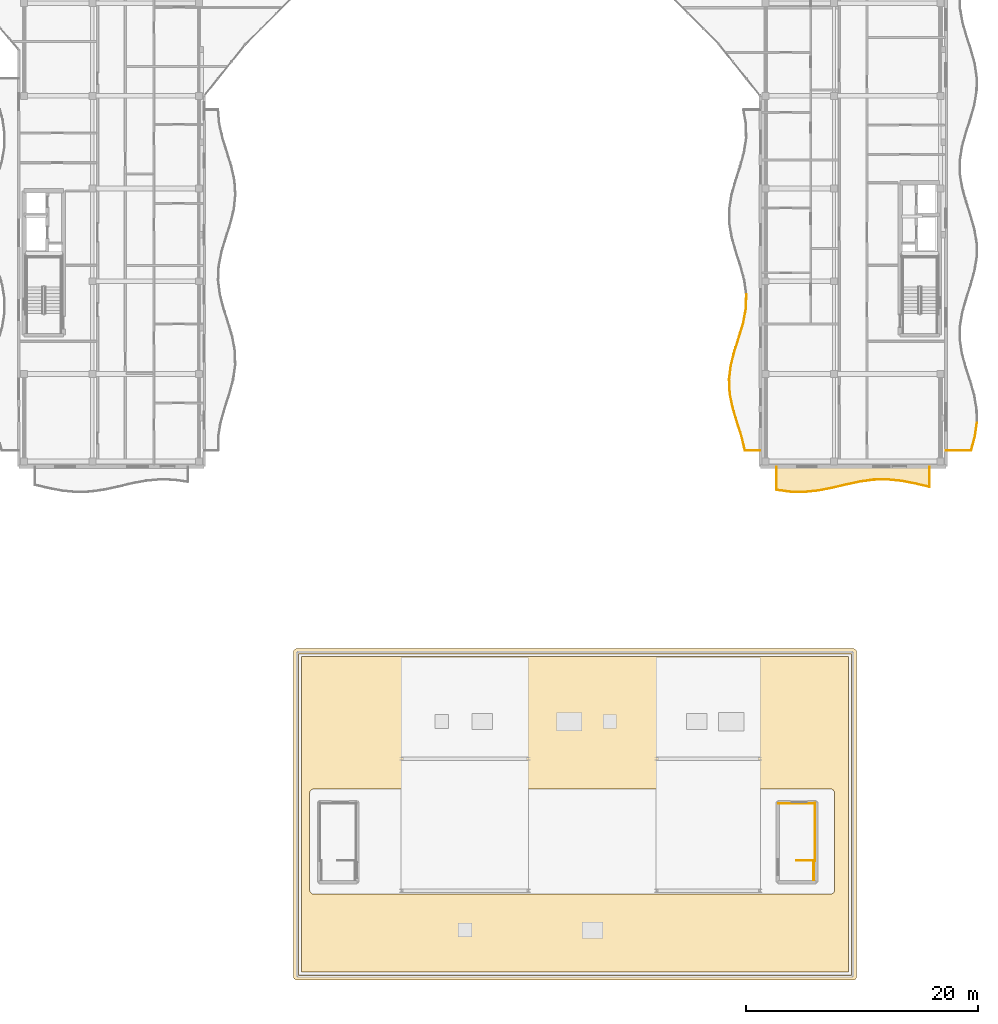
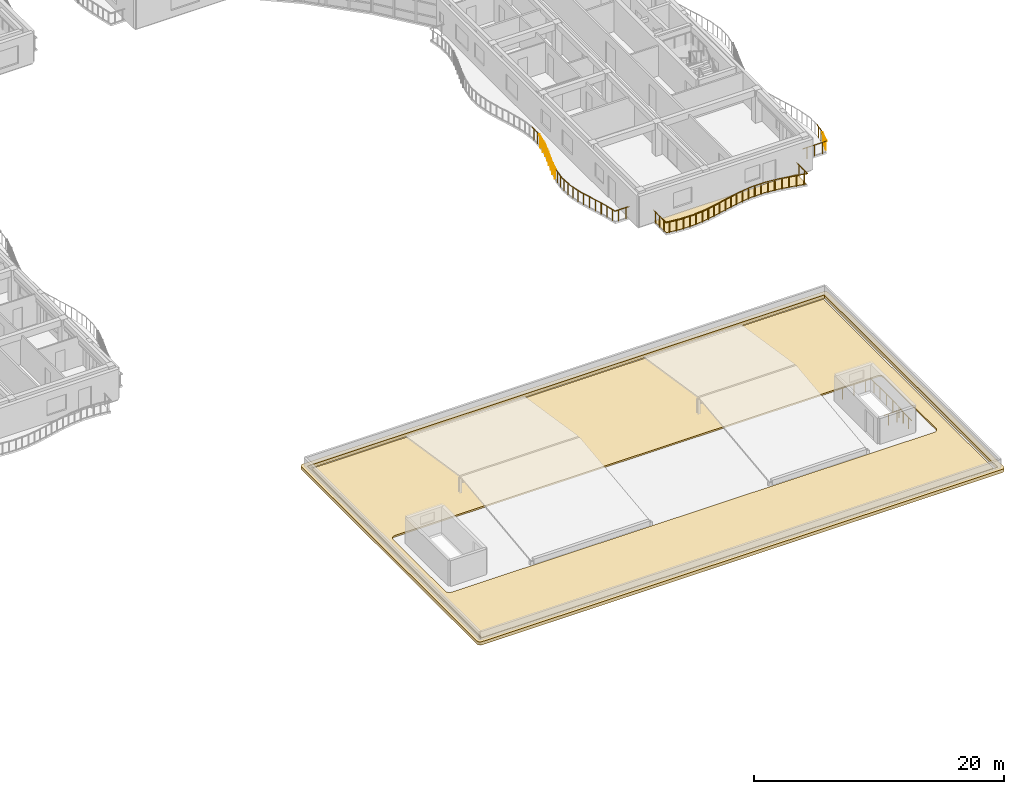
# One storey, part 73 of 79: 32 railings, 3 coverings.
"""IFC4 building model written with IfcOpenShell, lengths in metres."""

from ifc_helpers import new_model, si_unit, direction, frame, origin, origin_2d, place, context, subcontext, project, spatial, polyline, circle, outline, extrude, material, layer, layer_set, type_object, element, save


model = new_model("IFC4")

# Units and contexts
model_context = context("Model", 3, precision=1e-05, world=origin(), true_north=direction((0.0, 1.0)))
body_context = subcontext(model_context, "Body", "Model", "MODEL_VIEW")
ifc_project = project(units=[si_unit("LENGTHUNIT", "METRE"), si_unit("AREAUNIT", "SQUARE_METRE"), si_unit("VOLUMEUNIT", "CUBIC_METRE"), si_unit("PLANEANGLEUNIT", "RADIAN"), si_unit("MASSUNIT", "GRAM", prefix="KILO")], contexts=[model_context])

# Site, building, storey
site_placement = place(None, origin())
site = spatial("IfcSite", under=ifc_project, at=site_placement, CompositionType="ELEMENT")
building_placement = place(site_placement, origin())
building = spatial("IfcBuilding", under=site, at=building_placement, Name="Keldmere Railside Commons", CompositionType="ELEMENT")
storey_placement = place(building_placement, frame((0.0, 0.0, 10.56005859375)))
storey = spatial("IfcBuildingStorey", under=building, at=storey_placement, Name="L03", CompositionType="ELEMENT", Elevation=10.56005859375)

# Railings
ifc_material_1 = material(Name="Steel F-24 (S235)", Category="steel")
railing_type_1 = type_object("IfcRailingType", Name="Balcony & Terrace Steel Balustrade 1100", PredefinedType="BALUSTRADE", material=ifc_material_1)
railing_1_placement = place(storey_placement, frame((168.0, 57.39990234375, 0.0)))
element("IfcRailing", 1, at=railing_1_placement, inside=storey, type_object=railing_type_1, Name="GR-1 GRD-L03-3453", PredefinedType="BALUSTRADE", context=body_context, shape_type="SweptSolid", body=[
    extrude(circle(Radius=0.02392578125, at=origin_2d()), frame((0.0, 0.0, 1.076171875), z_axis=(-1.0, 0.0, 0.0), x_axis=(0.0, -1.0, 0.0)), (0.0, 0.0, 1.0), 1.32568359375),
    extrude(circle(Radius=0.02099609375, at=origin_2d()), frame((-0.33154296875, 0.0, 0.0)), (0.0, 0.0, 1.0), 1.048095703125),
    extrude(circle(Radius=0.02099609375, at=origin_2d()), frame((-0.994140625, 0.0, 0.0)), (0.0, 0.0, 1.0), 1.048095703125),
])
railing_2_placement = place(storey_placement, frame((166.67431640625, 57.39990234375, 0.0)))
element("IfcRailing", 2, at=railing_2_placement, inside=storey, type_object=railing_type_1, Name="GR-1 GRD-L03-3454", PredefinedType="BALUSTRADE", context=body_context, shape_type="SweptSolid", body=[
    extrude(circle(Radius=0.02392578125, at=origin_2d()), frame((0.0, 0.0, 1.076171875), z_axis=(-0.237156729367, 0.971471402418, 0.0), x_axis=(-0.971471402418, -0.237156729367, 0.0)), (0.0, 0.0, 1.0), 1.260986328125),
    extrude(circle(Radius=0.02099609375, at=origin_2d()), frame((-0.07470703125, 0.30615234375, 0.0)), (0.0, 0.0, 1.0), 1.048095703125),
    extrude(circle(Radius=0.02099609375, at=origin_2d()), frame((-0.224365234375, 0.9189453125, 0.0)), (0.0, 0.0, 1.0), 1.048095703125),
])
railing_3_placement = place(storey_placement, frame((166.375244140625, 58.625, 0.0)))
element("IfcRailing", 3, at=railing_3_placement, inside=storey, type_object=railing_type_1, Name="GR-1 GRD-L03-3455", PredefinedType="BALUSTRADE", context=body_context, shape_type="SweptSolid", body=[
    extrude(circle(Radius=0.02392578125, at=origin_2d()), frame((0.0, 0.0, 1.076171875), z_axis=(-0.303093914538, 0.952960691199, 0.0), x_axis=(-0.952960691199, -0.303093914538, 0.0)), (0.0, 0.0, 1.0), 1.28564453125),
    extrude(circle(Radius=0.02099609375, at=origin_2d()), frame((-0.097412109375, 0.30615234375, 0.0)), (0.0, 0.0, 1.0), 1.048095703125),
    extrude(circle(Radius=0.02099609375, at=origin_2d()), frame((-0.292236328125, 0.9189453125, 0.0)), (0.0, 0.0, 1.0), 1.048095703125),
])
railing_4_placement = place(storey_placement, frame((165.985595703125, 59.85009765625, 0.0)))
element("IfcRailing", 4, at=railing_4_placement, inside=storey, type_object=railing_type_1, Name="GR-1 GRD-L03-3456", PredefinedType="BALUSTRADE", context=body_context, shape_type="SweptSolid", body=[
    extrude(circle(Radius=0.02392578125, at=origin_2d()), frame((0.0, 0.0, 1.076171875), z_axis=(-0.290303835997, 0.956934523782, 0.0), x_axis=(-0.956934523782, -0.290303835997, 0.0)), (0.0, 0.0, 1.0), 1.280029296875),
    extrude(circle(Radius=0.02099609375, at=origin_2d()), frame((-0.0927734375, 0.30615234375, 0.0)), (0.0, 0.0, 1.0), 1.048095703125),
    extrude(circle(Radius=0.02099609375, at=origin_2d()), frame((-0.27880859375, 0.918701171875, 0.0)), (0.0, 0.0, 1.0), 1.048095703125),
])
railing_5_placement = place(storey_placement, frame((165.614013671875, 61.074951171875, 0.0)))
element("IfcRailing", 5, at=railing_5_placement, inside=storey, type_object=railing_type_1, Name="GR-1 GRD-L03-3457", PredefinedType="BALUSTRADE", context=body_context, shape_type="SweptSolid", body=[
    extrude(circle(Radius=0.02392578125, at=origin_2d()), frame((0.0, 0.0, 1.076171875), z_axis=(-0.199944709826, 0.979807181548, 0.0), x_axis=(-0.979807181548, -0.199944709826, 0.0)), (0.0, 0.0, 1.0), 1.250244140625),
    extrude(circle(Radius=0.02099609375, at=origin_2d()), frame((-0.0625, 0.30615234375, 0.0)), (0.0, 0.0, 1.0), 1.048095703125),
    extrude(circle(Radius=0.02099609375, at=origin_2d()), frame((-0.1875, 0.9189453125, 0.0)), (0.0, 0.0, 1.0), 1.048095703125),
])
railing_6_placement = place(storey_placement, frame((165.364013671875, 62.300048828125, 0.0)))
element("IfcRailing", 6, at=railing_6_placement, inside=storey, type_object=railing_type_1, Name="GR-1 GRD-L03-3458", PredefinedType="BALUSTRADE", context=body_context, shape_type="SweptSolid", body=[
    extrude(circle(Radius=0.02392578125, at=origin_2d()), frame((0.0, 0.0, 1.076171875), z_axis=(-0.04778271097, 0.998857753903, 0.0), x_axis=(-0.998857753903, -0.04778271097, 0.0)), (0.0, 0.0, 1.0), 1.226318359375),
    extrude(circle(Radius=0.02099609375, at=origin_2d()), frame((-0.0146484375, 0.30615234375, 0.0)), (0.0, 0.0, 1.0), 1.048095703125),
    extrude(circle(Radius=0.02099609375, at=origin_2d()), frame((-0.0439453125, 0.918701171875, 0.0)), (0.0, 0.0, 1.0), 1.048095703125),
])
railing_7_placement = place(storey_placement, frame((165.305419921875, 63.52490234375, 0.0)))
element("IfcRailing", 7, at=railing_7_placement, inside=storey, type_object=railing_type_1, Name="GR-1 GRD-L03-3459", PredefinedType="BALUSTRADE", context=body_context, shape_type="SweptSolid", body=[
    extrude(circle(Radius=0.02392578125, at=origin_2d()), frame((0.0, 0.0, 1.076171875), z_axis=(0.120674020503, 0.992692188332, 0.0), x_axis=(-0.992692188332, 0.120674020503, 0.0)), (0.0, 0.0, 1.0), 1.234130859375),
    extrude(circle(Radius=0.02099609375, at=origin_2d()), frame((0.037109375, 0.30615234375, 0.0)), (0.0, 0.0, 1.0), 1.048095703125),
    extrude(circle(Radius=0.02099609375, at=origin_2d()), frame((0.11181640625, 0.9189453125, 0.0)), (0.0, 0.0, 1.0), 1.048095703125),
])
railing_8_placement = place(storey_placement, frame((165.454345703125, 64.75, 0.0)))
element("IfcRailing", 8, at=railing_8_placement, inside=storey, type_object=railing_type_1, Name="GR-1 GRD-L03-3460", PredefinedType="BALUSTRADE", context=body_context, shape_type="SweptSolid", body=[
    extrude(circle(Radius=0.02392578125, at=origin_2d()), frame((0.0, 0.0, 1.076171875), z_axis=(0.24915999898, 0.968462335307, 0.0), x_axis=(-0.968462335307, 0.24915999898, 0.0)), (0.0, 0.0, 1.0), 1.264892578125),
    extrude(circle(Radius=0.02099609375, at=origin_2d()), frame((0.078857421875, 0.30615234375, 0.0)), (0.0, 0.0, 1.0), 1.048095703125),
    extrude(circle(Radius=0.02099609375, at=origin_2d()), frame((0.236328125, 0.9189453125, 0.0)), (0.0, 0.0, 1.0), 1.048095703125),
])
railing_9_placement = place(storey_placement, frame((165.76953125, 65.97509765625, 0.0)))
element("IfcRailing", 9, at=railing_9_placement, inside=storey, type_object=railing_type_1, Name="GR-1 GRD-L03-3461", PredefinedType="BALUSTRADE", context=body_context, shape_type="SweptSolid", body=[
    extrude(circle(Radius=0.02392578125, at=origin_2d()), frame((0.0, 0.0, 1.076171875), z_axis=(0.305904751758, 0.95206212132, 0.0), x_axis=(-0.95206212132, 0.305904751758, 0.0)), (0.0, 0.0, 1.0), 1.28662109375),
    extrude(circle(Radius=0.02099609375, at=origin_2d()), frame((0.098388671875, 0.30615234375, 0.0)), (0.0, 0.0, 1.0), 1.048095703125),
    extrude(circle(Radius=0.02099609375, at=origin_2d()), frame((0.295166015625, 0.918701171875, 0.0)), (0.0, 0.0, 1.0), 1.048095703125),
])
railing_10_placement = place(storey_placement, frame((166.1630859375, 67.199951171875, 0.0)))
element("IfcRailing", 10, at=railing_10_placement, inside=storey, type_object=railing_type_1, Name="GR-1 GRD-L03-3462", PredefinedType="BALUSTRADE", context=body_context, shape_type="SweptSolid", body=[
    extrude(circle(Radius=0.02392578125, at=origin_2d()), frame((0.0, 0.0, 1.076171875), z_axis=(0.283242270873, 0.959048390849, 0.0), x_axis=(-0.959048390849, 0.283242270873, 0.0)), (0.0, 0.0, 1.0), 1.27734375),
    extrude(circle(Radius=0.02099609375, at=origin_2d()), frame((0.09033203125, 0.30615234375, 0.0)), (0.0, 0.0, 1.0), 1.048095703125),
    extrude(circle(Radius=0.02099609375, at=origin_2d()), frame((0.271484375, 0.9189453125, 0.0)), (0.0, 0.0, 1.0), 1.048095703125),
])
railing_11_placement = place(storey_placement, frame((166.52490234375, 68.425048828125, 0.0)))
element("IfcRailing", 11, at=railing_11_placement, inside=storey, type_object=railing_type_1, Name="GR-1 GRD-L03-3463", PredefinedType="BALUSTRADE", context=body_context, shape_type="SweptSolid", body=[
    extrude(circle(Radius=0.02392578125, at=origin_2d()), frame((0.0, 0.0, 1.076171875), z_axis=(0.184158417492, 0.982896575061, 0.0), x_axis=(-0.982896575061, 0.184158417492, 0.0)), (0.0, 0.0, 1.0), 1.24609375),
    extrude(circle(Radius=0.02099609375, at=origin_2d()), frame((0.057373046875, 0.30615234375, 0.0)), (0.0, 0.0, 1.0), 1.048095703125),
    extrude(circle(Radius=0.02099609375, at=origin_2d()), frame((0.172119140625, 0.918701171875, 0.0)), (0.0, 0.0, 1.0), 1.048095703125),
])
railing_12_placement = place(storey_placement, frame((166.75439453125, 69.64990234375, 0.0)))
element("IfcRailing", 12, at=railing_12_placement, inside=storey, type_object=railing_type_1, Name="GR-1 GRD-L03-3464", PredefinedType="BALUSTRADE", context=body_context, shape_type="SweptSolid", body=[
    extrude(circle(Radius=0.02392578125, at=origin_2d()), frame((0.0, 0.0, 1.076171875), z_axis=(0.026893417974, 0.999638306624, 0.0), x_axis=(-0.999638306624, 0.026893417974, 0.0)), (0.0, 0.0, 1.0), 1.2255859375),
    extrude(circle(Radius=0.02099609375, at=origin_2d()), frame((0.00830078125, 0.30615234375, 0.0)), (0.0, 0.0, 1.0), 1.048095703125),
    extrude(circle(Radius=0.02099609375, at=origin_2d()), frame((0.024658203125, 0.9189453125, 0.0)), (0.0, 0.0, 1.0), 1.048095703125),
])
railing_13_placement = place(storey_placement, frame((184.0, 57.39990234375, 0.0)))
element("IfcRailing", 13, at=railing_13_placement, inside=storey, type_object=railing_type_1, Name="GR-1 GRD-L03-3479", PredefinedType="BALUSTRADE", context=body_context, shape_type="SweptSolid", body=[
    extrude(circle(Radius=0.02392578125, at=origin_2d()), frame((0.0, 0.0, 1.076171875), z_axis=(1.0, 0.0, 0.0), x_axis=(0.0, 1.0, 0.0)), (0.0, 0.0, 1.0), 2.18359375),
    extrude(circle(Radius=0.02099609375, at=origin_2d()), frame((0.364013671875, 0.0, 0.0)), (0.0, 0.0, 1.0), 1.048095703125),
    extrude(circle(Radius=0.02099609375, at=origin_2d()), frame((1.091796875, 0.0, 0.0)), (0.0, 0.0, 1.0), 1.048095703125),
    extrude(circle(Radius=0.02099609375, at=origin_2d()), frame((1.819580078125, 0.0, 0.0)), (0.0, 0.0, 1.0), 1.048095703125),
])
railing_14_placement = place(storey_placement, frame((186.18359375, 57.39990234375, 0.0)))
element("IfcRailing", 14, at=railing_14_placement, inside=storey, type_object=railing_type_1, Name="GR-1 GRD-L03-3480", PredefinedType="BALUSTRADE", context=body_context, shape_type="SweptSolid", body=[
    extrude(circle(Radius=0.02392578125, at=origin_2d()), frame((0.0, 0.0, 1.076171875), z_axis=(0.261745454977, 0.965136941993, 0.0), x_axis=(-0.965136941993, 0.261745454977, 0.0)), (0.0, 0.0, 1.0), 1.23486328125),
    extrude(circle(Radius=0.02099609375, at=origin_2d()), frame((0.080810546875, 0.2978515625, 0.0)), (0.0, 0.0, 1.0), 1.048095703125),
    extrude(circle(Radius=0.02099609375, at=origin_2d()), frame((0.242431640625, 0.89404296875, 0.0)), (0.0, 0.0, 1.0), 1.048095703125),
])
railing_15_placement = place(storey_placement, frame((186.5068359375, 58.591796875, 0.0)))
element("IfcRailing", 15, at=railing_15_placement, inside=storey, type_object=railing_type_1, Name="GR-1 GRD-L03-3481", PredefinedType="BALUSTRADE", context=body_context, shape_type="SweptSolid", body=[
    extrude(circle(Radius=0.02392578125, at=origin_2d()), frame((0.0, 0.0, 1.076171875), z_axis=(0.146159269003, 0.989261071752, 0.0), x_axis=(-0.989261071752, 0.146159269003, 0.0)), (0.0, 0.0, 1.0), 1.204345703125),
    extrude(circle(Radius=0.02099609375, at=origin_2d()), frame((0.0439453125, 0.2978515625, 0.0)), (0.0, 0.0, 1.0), 1.048095703125),
    extrude(circle(Radius=0.02099609375, at=origin_2d()), frame((0.132080078125, 0.8935546875, 0.0)), (0.0, 0.0, 1.0), 1.048095703125),
])
railing_16_placement = place(storey_placement, frame((169.39990234375, 56.0, 0.0)))
element("IfcRailing", 16, at=railing_16_placement, inside=storey, type_object=railing_type_1, Name="GR-1 GRD-L03-3542", PredefinedType="BALUSTRADE", context=body_context, shape_type="SweptSolid", body=[
    extrude(circle(Radius=0.02392578125, at=origin_2d()), frame((0.0, 0.0, 1.076171875), z_axis=(0.0, -1.0, 0.0), x_axis=(1.0, 0.0, 0.0)), (0.0, 0.0, 1.0), 2.01123046875),
    extrude(circle(Radius=0.02099609375, at=origin_2d()), frame((0.0, -0.335205078125, 0.0)), (0.0, 0.0, 1.0), 1.048095703125),
    extrude(circle(Radius=0.02099609375, at=origin_2d()), frame((0.0, -1.005615234375, 0.0)), (0.0, 0.0, 1.0), 1.048095703125),
    extrude(circle(Radius=0.02099609375, at=origin_2d()), frame((0.0, -1.676025390625, 0.0)), (0.0, 0.0, 1.0), 1.048095703125),
])
railing_17_placement = place(storey_placement, frame((169.39990234375, 53.98876953125, 0.0)))
element("IfcRailing", 17, at=railing_17_placement, inside=storey, type_object=railing_type_1, Name="GR-1 GRD-L03-3543", PredefinedType="BALUSTRADE", context=body_context, shape_type="SweptSolid", body=[
    extrude(circle(Radius=0.02392578125, at=origin_2d()), frame((0.0, 0.0, 1.076171875), z_axis=(0.991319242479, -0.131476840133, 0.0), x_axis=(0.131476840133, 0.991319242479, 0.0)), (0.0, 0.0, 1.0), 1.210693359375),
    extrude(circle(Radius=0.02099609375, at=origin_2d()), frame((0.300048828125, -0.039794921875, 0.0)), (0.0, 0.0, 1.0), 1.048095703125),
    extrude(circle(Radius=0.02099609375, at=origin_2d()), frame((0.900146484375, -0.119384765625, 0.0)), (0.0, 0.0, 1.0), 1.048095703125),
])
railing_18_placement = place(storey_placement, frame((170.60009765625, 53.82958984375, 0.0)))
element("IfcRailing", 18, at=railing_18_placement, inside=storey, type_object=railing_type_1, Name="GR-1 GRD-L03-3544", PredefinedType="BALUSTRADE", context=body_context, shape_type="SweptSolid", body=[
    extrude(circle(Radius=0.02392578125, at=origin_2d()), frame((0.0, 0.0, 1.076171875), z_axis=(0.999870850419, -0.016071169315, 0.0), x_axis=(0.016071169315, 0.999870850419, 0.0)), (0.0, 0.0, 1.0), 1.2001953125),
    extrude(circle(Radius=0.02099609375, at=origin_2d()), frame((0.300048828125, -0.0048828125, 0.0)), (0.0, 0.0, 1.0), 1.048095703125),
    extrude(circle(Radius=0.02099609375, at=origin_2d()), frame((0.89990234375, -0.014404296875, 0.0)), (0.0, 0.0, 1.0), 1.048095703125),
])
railing_19_placement = place(storey_placement, frame((171.800048828125, 53.810302734375, 0.0)))
element("IfcRailing", 19, at=railing_19_placement, inside=storey, type_object=railing_type_1, Name="GR-1 GRD-L03-3545", PredefinedType="BALUSTRADE", context=body_context, shape_type="SweptSolid", body=[
    extrude(circle(Radius=0.02392578125, at=origin_2d()), frame((0.0, 0.0, 1.076171875), z_axis=(0.994617974439, 0.103610254916, 0.0), x_axis=(-0.103610254916, 0.994617974439, 0.0)), (0.0, 0.0, 1.0), 1.20654296875),
    extrude(circle(Radius=0.02099609375, at=origin_2d()), frame((0.300048828125, 0.03125, 0.0)), (0.0, 0.0, 1.0), 1.048095703125),
    extrude(circle(Radius=0.02099609375, at=origin_2d()), frame((0.89990234375, 0.09375, 0.0)), (0.0, 0.0, 1.0), 1.048095703125),
])
railing_20_placement = place(storey_placement, frame((173.0, 53.935302734375, 0.0)))
element("IfcRailing", 20, at=railing_20_placement, inside=storey, type_object=railing_type_1, Name="GR-1 GRD-L03-3546", PredefinedType="BALUSTRADE", context=body_context, shape_type="SweptSolid", body=[
    extrude(circle(Radius=0.02392578125, at=origin_2d()), frame((0.0, 0.0, 1.076171875), z_axis=(0.981152287374, 0.193236096476, 0.0), x_axis=(-0.193236096476, 0.981152287374, 0.0)), (0.0, 0.0, 1.0), 1.222900390625),
    extrude(circle(Radius=0.02099609375, at=origin_2d()), frame((0.300048828125, 0.05908203125, 0.0)), (0.0, 0.0, 1.0), 1.048095703125),
    extrude(circle(Radius=0.02099609375, at=origin_2d()), frame((0.89990234375, 0.17724609375, 0.0)), (0.0, 0.0, 1.0), 1.048095703125),
])
railing_21_placement = place(storey_placement, frame((174.199951171875, 54.171630859375, 0.0)))
element("IfcRailing", 21, at=railing_21_placement, inside=storey, type_object=railing_type_1, Name="GR-1 GRD-L03-3547", PredefinedType="BALUSTRADE", context=body_context, shape_type="SweptSolid", body=[
    extrude(circle(Radius=0.02392578125, at=origin_2d()), frame((0.0, 0.0, 1.076171875), z_axis=(0.973128173915, 0.230264103004, 0.0), x_axis=(-0.230264103004, 0.973128173915, 0.0)), (0.0, 0.0, 1.0), 1.233154296875),
    extrude(circle(Radius=0.02099609375, at=origin_2d()), frame((0.300048828125, 0.071044921875, 0.0)), (0.0, 0.0, 1.0), 1.048095703125),
    extrude(circle(Radius=0.02099609375, at=origin_2d()), frame((0.89990234375, 0.212890625, 0.0)), (0.0, 0.0, 1.0), 1.048095703125),
])
railing_22_placement = place(storey_placement, frame((175.39990234375, 54.45556640625, 0.0)))
element("IfcRailing", 22, at=railing_22_placement, inside=storey, type_object=railing_type_1, Name="GR-1 GRD-L03-3548", PredefinedType="BALUSTRADE", context=body_context, shape_type="SweptSolid", body=[
    extrude(circle(Radius=0.02392578125, at=origin_2d()), frame((0.0, 0.0, 1.076171875), z_axis=(0.978063687963, 0.208306078376, 0.0), x_axis=(-0.208306078376, 0.978063687963, 0.0)), (0.0, 0.0, 1.0), 1.22705078125),
    extrude(circle(Radius=0.02099609375, at=origin_2d()), frame((0.300048828125, 0.06396484375, 0.0)), (0.0, 0.0, 1.0), 1.048095703125),
    extrude(circle(Radius=0.02099609375, at=origin_2d()), frame((0.900146484375, 0.191650390625, 0.0)), (0.0, 0.0, 1.0), 1.048095703125),
])
railing_23_placement = place(storey_placement, frame((176.60009765625, 54.711181640625, 0.0)))
element("IfcRailing", 23, at=railing_23_placement, inside=storey, type_object=railing_type_1, Name="GR-1 GRD-L03-3549", PredefinedType="BALUSTRADE", context=body_context, shape_type="SweptSolid", body=[
    extrude(circle(Radius=0.02392578125, at=origin_2d()), frame((0.0, 0.0, 1.076171875), z_axis=(0.991315755652, 0.131503127708, 0.0), x_axis=(-0.131503127708, 0.991315755652, 0.0)), (0.0, 0.0, 1.0), 1.21044921875),
    extrude(circle(Radius=0.02099609375, at=origin_2d()), frame((0.300048828125, 0.039794921875, 0.0)), (0.0, 0.0, 1.0), 1.048095703125),
    extrude(circle(Radius=0.02099609375, at=origin_2d()), frame((0.89990234375, 0.119384765625, 0.0)), (0.0, 0.0, 1.0), 1.048095703125),
])
railing_24_placement = place(storey_placement, frame((177.800048828125, 54.870361328125, 0.0)))
element("IfcRailing", 24, at=railing_24_placement, inside=storey, type_object=railing_type_1, Name="GR-1 GRD-L03-3550", PredefinedType="BALUSTRADE", context=body_context, shape_type="SweptSolid", body=[
    extrude(circle(Radius=0.02392578125, at=origin_2d()), frame((0.0, 0.0, 1.076171875), z_axis=(0.999867560769, 0.016274548293, 0.0), x_axis=(-0.016274548293, 0.999867560769, 0.0)), (0.0, 0.0, 1.0), 1.2001953125),
    extrude(circle(Radius=0.02099609375, at=origin_2d()), frame((0.300048828125, 0.0048828125, 0.0)), (0.0, 0.0, 1.0), 1.048095703125),
    extrude(circle(Radius=0.02099609375, at=origin_2d()), frame((0.89990234375, 0.0146484375, 0.0)), (0.0, 0.0, 1.0), 1.048095703125),
])
railing_25_placement = place(storey_placement, frame((179.0, 54.889892578125, 0.0)))
element("IfcRailing", 25, at=railing_25_placement, inside=storey, type_object=railing_type_1, Name="GR-1 GRD-L03-3551", PredefinedType="BALUSTRADE", context=body_context, shape_type="SweptSolid", body=[
    extrude(circle(Radius=0.02392578125, at=origin_2d()), frame((0.0, 0.0, 1.076171875), z_axis=(0.994597100612, -0.103810440003, 0.0), x_axis=(0.103810440003, 0.994597100612, 0.0)), (0.0, 0.0, 1.0), 1.20654296875),
    extrude(circle(Radius=0.02099609375, at=origin_2d()), frame((0.300048828125, -0.03125, 0.0)), (0.0, 0.0, 1.0), 1.048095703125),
    extrude(circle(Radius=0.02099609375, at=origin_2d()), frame((0.89990234375, -0.093994140625, 0.0)), (0.0, 0.0, 1.0), 1.048095703125),
])
railing_26_placement = place(storey_placement, frame((180.199951171875, 54.7646484375, 0.0)))
element("IfcRailing", 26, at=railing_26_placement, inside=storey, type_object=railing_type_1, Name="GR-1 GRD-L03-3552", PredefinedType="BALUSTRADE", context=body_context, shape_type="SweptSolid", body=[
    extrude(circle(Radius=0.02392578125, at=origin_2d()), frame((0.0, 0.0, 1.076171875), z_axis=(0.981152287374, -0.193236096476, 0.0), x_axis=(0.193236096476, 0.981152287374, 0.0)), (0.0, 0.0, 1.0), 1.222900390625),
    extrude(circle(Radius=0.02099609375, at=origin_2d()), frame((0.300048828125, -0.05908203125, 0.0)), (0.0, 0.0, 1.0), 1.048095703125),
    extrude(circle(Radius=0.02099609375, at=origin_2d()), frame((0.89990234375, -0.17724609375, 0.0)), (0.0, 0.0, 1.0), 1.048095703125),
])
railing_27_placement = place(storey_placement, frame((181.39990234375, 54.5283203125, 0.0)))
element("IfcRailing", 27, at=railing_27_placement, inside=storey, type_object=railing_type_1, Name="GR-1 GRD-L03-3553", PredefinedType="BALUSTRADE", context=body_context, shape_type="SweptSolid", body=[
    extrude(circle(Radius=0.02392578125, at=origin_2d()), frame((0.0, 0.0, 1.076171875), z_axis=(0.973138668699, -0.230219746073, 0.0), x_axis=(0.230219746073, 0.973138668699, 0.0)), (0.0, 0.0, 1.0), 1.2333984375),
    extrude(circle(Radius=0.02099609375, at=origin_2d()), frame((0.300048828125, -0.071044921875, 0.0)), (0.0, 0.0, 1.0), 1.048095703125),
    extrude(circle(Radius=0.02099609375, at=origin_2d()), frame((0.900146484375, -0.212890625, 0.0)), (0.0, 0.0, 1.0), 1.048095703125),
])
railing_28_placement = place(storey_placement, frame((182.60009765625, 54.244384765625, 0.0)))
element("IfcRailing", 28, at=railing_28_placement, inside=storey, type_object=railing_type_1, Name="GR-1 GRD-L03-3554", PredefinedType="BALUSTRADE", context=body_context, shape_type="SweptSolid", body=[
    extrude(circle(Radius=0.02392578125, at=origin_2d()), frame((0.0, 0.0, 1.076171875), z_axis=(0.0, 1.0, 0.0), x_axis=(-1.0, 0.0, 0.0)), (0.0, 0.0, 1.0), 1.755615234375),
    extrude(circle(Radius=0.02099609375, at=origin_2d()), frame((0.0, 0.43896484375, 0.0)), (0.0, 0.0, 1.0), 1.048095703125),
    extrude(circle(Radius=0.02099609375, at=origin_2d()), frame((0.0, 1.316650390625, 0.0)), (0.0, 0.0, 1.0), 1.048095703125),
])

# Coverings
ifc_material_2 = material(Name="Native Planted Green-Roof Substrate", Category="earth")
ifc_layer_1 = layer(ifc_material_2, 0.14990234375, Name="Native Green-Roof Planted Substrate 150")
ifc_layer_set_1 = layer_set([ifc_layer_1], Name="Native Planted Green-Roof Substrate")
covering_type_1 = type_object("IfcCoveringType", Name="Native Green-Roof Planted Substrate 150", PredefinedType="ROOFING", material=ifc_layer_set_1)
covering_1_placement = place(storey_placement, origin())
element("IfcCovering", 29, at=covering_1_placement, inside=storey, type_object=covering_type_1, Name="Roof Green Substrate Market Arcade", PredefinedType="ROOFING", context=body_context, shape_type="SweptSolid", body=[
    extrude(outline(polyline([(175.60009765625, 12.39990234375), (175.60009765625, 39.60009765625), (128.39990234375, 39.60009765625), (128.39990234375, 12.39990234375), (175.60009765625, 12.39990234375)]), holes=[polyline([(174.39990234375, 19.5), (174.398193359375, 19.460693359375), (174.392333984375, 19.422119140625), (174.3828125, 19.3837890625), (174.36962890625, 19.346923828125), (174.352783203125, 19.311279296875), (174.33251953125, 19.27783203125), (174.30908203125, 19.24609375), (174.28271484375, 19.21728515625), (174.25390625, 19.19091796875), (174.22216796875, 19.16748046875), (174.188720703125, 19.147216796875), (174.153076171875, 19.13037109375), (174.1162109375, 19.1171875), (174.077880859375, 19.107666015625), (174.039306640625, 19.101806640625), (174.0, 19.10009765625), (129.5, 19.10009765625), (129.460693359375, 19.101806640625), (129.422119140625, 19.107666015625), (129.3837890625, 19.1171875), (129.346923828125, 19.13037109375), (129.311279296875, 19.147216796875), (129.27783203125, 19.16748046875), (129.24609375, 19.19091796875), (129.21728515625, 19.21728515625), (129.19091796875, 19.24609375), (129.16748046875, 19.27783203125), (129.147216796875, 19.311279296875), (129.13037109375, 19.346923828125), (129.1171875, 19.3837890625), (129.107666015625, 19.422119140625), (129.101806640625, 19.460693359375), (129.10009765625, 19.5), (129.10009765625, 27.800048828125), (129.101806640625, 27.839111328125), (129.107666015625, 27.8779296875), (129.1171875, 27.916015625), (129.13037109375, 27.953125), (129.147216796875, 27.988525390625), (129.16748046875, 28.022216796875), (129.19091796875, 28.0537109375), (129.21728515625, 28.082763671875), (129.24609375, 28.109130859375), (129.27783203125, 28.132568359375), (129.311279296875, 28.15283203125), (129.346923828125, 28.169677734375), (129.3837890625, 28.182861328125), (129.422119140625, 28.1923828125), (129.460693359375, 28.197998046875), (129.5, 28.199951171875), (174.0, 28.199951171875), (174.039306640625, 28.197998046875), (174.077880859375, 28.1923828125), (174.1162109375, 28.182861328125), (174.153076171875, 28.169677734375), (174.188720703125, 28.15283203125), (174.22216796875, 28.132568359375), (174.25390625, 28.109130859375), (174.28271484375, 28.082763671875), (174.30908203125, 28.0537109375), (174.33251953125, 28.022216796875), (174.352783203125, 27.988525390625), (174.36962890625, 27.953125), (174.3828125, 27.916015625), (174.392333984375, 27.8779296875), (174.398193359375, 27.839111328125), (174.39990234375, 27.800048828125), (174.39990234375, 19.5)])]), origin(), (0.0, 0.0, 1.0), 0.14990234375),
])
ifc_material_3 = material(Name="White Precast Concrete C35/45", Category="concrete")
ifc_layer_2 = layer(ifc_material_3, 0.280029296875, Name="Postmodern Stepped Precast Cornice Band 280")
ifc_layer_set_2 = layer_set([ifc_layer_2], Name="White Precast Concrete C35/45")
covering_type_2 = type_object("IfcCoveringType", Name="Postmodern Stepped Precast Cornice Band 280", PredefinedType="CLADDING", material=ifc_layer_set_2)
covering_2_placement = place(storey_placement, origin())
element("IfcCovering", 30, at=covering_2_placement, inside=storey, type_object=covering_type_2, Name="CRN-1 Postmodern Entablature CRN-ARC", PredefinedType="CLADDING", context=body_context, shape_type="SweptSolid", body=[
    extrude(outline(polyline([(128.0, 11.699951171875), (127.970703125, 11.701416015625), (127.94140625, 11.705810546875), (127.912841796875, 11.712890625), (127.88525390625, 11.722900390625), (127.858642578125, 11.7353515625), (127.833251953125, 11.75048828125), (127.809814453125, 11.76806640625), (127.787841796875, 11.787841796875), (127.76806640625, 11.809814453125), (127.75048828125, 11.833251953125), (127.7353515625, 11.858642578125), (127.722900390625, 11.88525390625), (127.712890625, 11.912841796875), (127.705810546875, 11.94140625), (127.701416015625, 11.970703125), (127.699951171875, 12.0), (127.699951171875, 40.0), (127.701416015625, 40.029296875), (127.705810546875, 40.05859375), (127.712890625, 40.087158203125), (127.722900390625, 40.11474609375), (127.7353515625, 40.141357421875), (127.75048828125, 40.166748046875), (127.76806640625, 40.190185546875), (127.787841796875, 40.212158203125), (127.809814453125, 40.23193359375), (127.833251953125, 40.24951171875), (127.858642578125, 40.2646484375), (127.88525390625, 40.277099609375), (127.912841796875, 40.287109375), (127.94140625, 40.294189453125), (127.970703125, 40.298583984375), (128.0, 40.300048828125), (176.0, 40.300048828125), (176.029296875, 40.298583984375), (176.05859375, 40.294189453125), (176.087158203125, 40.287109375), (176.11474609375, 40.277099609375), (176.141357421875, 40.2646484375), (176.166748046875, 40.24951171875), (176.190185546875, 40.23193359375), (176.212158203125, 40.212158203125), (176.23193359375, 40.190185546875), (176.24951171875, 40.166748046875), (176.2646484375, 40.141357421875), (176.277099609375, 40.11474609375), (176.287109375, 40.087158203125), (176.294189453125, 40.05859375), (176.298583984375, 40.029296875), (176.300048828125, 40.0), (176.300048828125, 12.0), (176.298583984375, 11.970703125), (176.294189453125, 11.94140625), (176.287109375, 11.912841796875), (176.277099609375, 11.88525390625), (176.2646484375, 11.858642578125), (176.24951171875, 11.833251953125), (176.23193359375, 11.809814453125), (176.212158203125, 11.787841796875), (176.190185546875, 11.76806640625), (176.166748046875, 11.75048828125), (176.141357421875, 11.7353515625), (176.11474609375, 11.722900390625), (176.087158203125, 11.712890625), (176.05859375, 11.705810546875), (176.029296875, 11.701416015625), (176.0, 11.699951171875), (128.0, 11.699951171875)]), holes=[polyline([(175.85009765625, 12.14990234375), (128.14990234375, 12.14990234375), (128.14990234375, 39.85009765625), (175.85009765625, 39.85009765625), (175.85009765625, 12.14990234375)])]), origin(), (0.0, 0.0, 1.0), 0.31982421875),
])

# Railings
railing_type_2 = type_object("IfcRailingType", Name="Stair Well Steel Guardrail 1100", PredefinedType="BALUSTRADE", material=ifc_material_1)
railing_29_placement = place(storey_placement, frame((172.64990234375, 22.0, 0.0)))
element("IfcRailing", 31, at=railing_29_placement, inside=storey, type_object=railing_type_2, Name="L03 ST-M2 top well guard 1", PredefinedType="BALUSTRADE", context=body_context, shape_type="SweptSolid", body=[
    extrude(circle(Radius=0.02392578125, at=origin_2d()), frame((0.0, 0.0, 1.076171875), z_axis=(-1.0, 0.0, 0.0), x_axis=(0.0, -1.0, 0.0)), (0.0, 0.0, 1.0), 1.56982421875),
    extrude(circle(Radius=0.02099609375, at=origin_2d()), frame((-0.392578125, 0.0, 0.0)), (0.0, 0.0, 1.0), 1.048095703125),
    extrude(circle(Radius=0.02099609375, at=origin_2d()), frame((-1.17724609375, 0.0, 0.0)), (0.0, 0.0, 1.0), 1.048095703125),
])
railing_30_placement = place(storey_placement, frame((172.699951171875, 21.949951171875, 0.0)))
element("IfcRailing", 32, at=railing_30_placement, inside=storey, type_object=railing_type_2, Name="L03 ST-M2 top well guard 2", PredefinedType="BALUSTRADE", context=body_context, shape_type="SweptSolid", body=[
    extrude(circle(Radius=0.02392578125, at=origin_2d()), frame((0.0, 0.0, 1.076171875), z_axis=(0.0, 1.0, 0.0), x_axis=(-1.0, 0.0, 0.0)), (0.0, 0.0, 1.0), 5.050048828125),
    extrude(circle(Radius=0.02099609375, at=origin_2d()), frame((0.0, 0.5048828125, 0.0)), (0.0, 0.0, 1.0), 1.048095703125),
    extrude(circle(Radius=0.02099609375, at=origin_2d()), frame((0.0, 1.51513671875, 0.0)), (0.0, 0.0, 1.0), 1.048095703125),
    extrude(circle(Radius=0.02099609375, at=origin_2d()), frame((0.0, 2.52490234375, 0.0)), (0.0, 0.0, 1.0), 1.048095703125),
    extrude(circle(Radius=0.02099609375, at=origin_2d()), frame((0.0, 3.534912109375, 0.0)), (0.0, 0.0, 1.0), 1.048095703125),
    extrude(circle(Radius=0.02099609375, at=origin_2d()), frame((0.0, 4.544921875, 0.0)), (0.0, 0.0, 1.0), 1.048095703125),
])
railing_31_placement = place(storey_placement, frame((172.75, 26.949951171875, 0.0)))
element("IfcRailing", 33, at=railing_31_placement, inside=storey, type_object=railing_type_2, Name="L03 ST-M2 top well guard 3", PredefinedType="BALUSTRADE", context=body_context, shape_type="SweptSolid", body=[
    extrude(circle(Radius=0.02392578125, at=origin_2d()), frame((0.0, 0.0, 1.076171875), z_axis=(-1.0, 0.0, 0.0), x_axis=(0.0, -1.0, 0.0)), (0.0, 0.0, 1.0), 3.18994140625),
    extrude(circle(Radius=0.02099609375, at=origin_2d()), frame((-0.53173828125, 0.0, 0.0)), (0.0, 0.0, 1.0), 1.048095703125),
    extrude(circle(Radius=0.02099609375, at=origin_2d()), frame((-1.594970703125, 0.0, 0.0)), (0.0, 0.0, 1.0), 1.048095703125),
    extrude(circle(Radius=0.02099609375, at=origin_2d()), frame((-2.658203125, 0.0, 0.0)), (0.0, 0.0, 1.0), 1.048095703125),
])
railing_32_placement = place(storey_placement, frame((172.60009765625, 20.300048828125, 0.0)))
element("IfcRailing", 34, at=railing_32_placement, inside=storey, type_object=railing_type_2, Name="L03 ST-M2 top well guard 4", PredefinedType="BALUSTRADE", context=body_context, shape_type="SweptSolid", body=[
    extrude(circle(Radius=0.02392578125, at=origin_2d()), frame((0.0, 0.0, 1.076171875), z_axis=(0.0, 1.0, 0.0), x_axis=(-1.0, 0.0, 0.0)), (0.0, 0.0, 1.0), 1.75),
    extrude(circle(Radius=0.02099609375, at=origin_2d()), frame((0.0, 0.4375, 0.0)), (0.0, 0.0, 1.0), 1.048095703125),
    extrude(circle(Radius=0.02099609375, at=origin_2d()), frame((0.0, 1.3125, 0.0)), (0.0, 0.0, 1.0), 1.048095703125),
])

# Covering
ifc_layer_3 = layer(ifc_material_3, 0.044921875, Name="White Architectural Balcony Ribbon Cladding 45")
ifc_layer_set_3 = layer_set([ifc_layer_3], Name="White Precast Concrete C35/45")
covering_type_3 = type_object("IfcCoveringType", Name="White Architectural Balcony Ribbon Cladding 45", PredefinedType="FLOORING", material=ifc_layer_set_3)
covering_3_placement = place(storey_placement, origin())
element("IfcCovering", 35, at=covering_3_placement, inside=storey, type_object=covering_type_3, Name="CLG-WB A L03 S White Balcony Ribbon", PredefinedType="FLOORING", context=body_context, shape_type="SweptSolid", body=[
    extrude(outline(polyline([(170.60302734375, 53.86962890625), (171.798095703125, 53.85009765625), (172.993896484375, 53.97509765625), (174.19140625, 54.210693359375), (175.390869140625, 54.494384765625), (175.3916015625, 54.49462890625), (176.591796875, 54.75048828125), (176.5947265625, 54.7509765625), (177.794677734375, 54.909912109375), (177.79931640625, 54.910400390625), (178.99951171875, 54.9296875), (179.004150390625, 54.9296875), (180.2041015625, 54.804443359375), (180.207763671875, 54.8037109375), (181.40771484375, 54.567626953125), (181.4091796875, 54.5673828125), (182.56005859375, 54.294921875), (182.56005859375, 55.9599609375), (169.43994140625, 55.9599609375), (169.43994140625, 54.023681640625), (170.60302734375, 53.86962890625)])), origin(), (0.0, 0.0, 1.0), 0.044921875),
])

save(model, "model.ifc")
